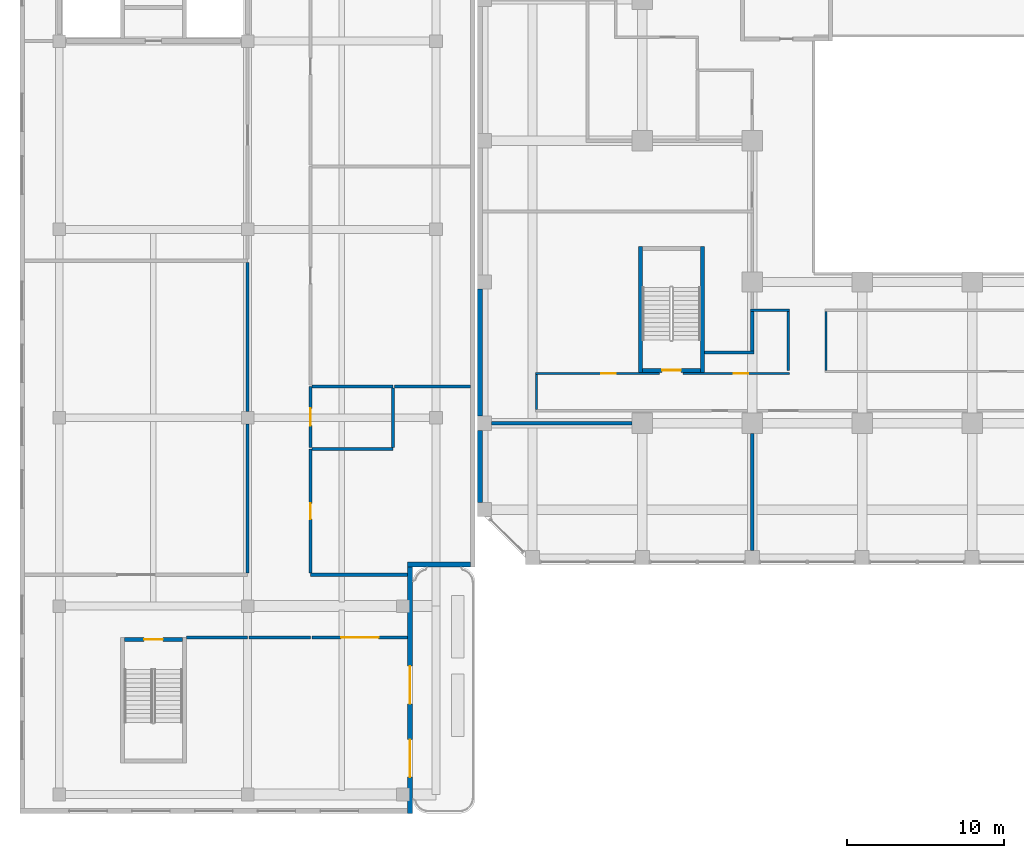
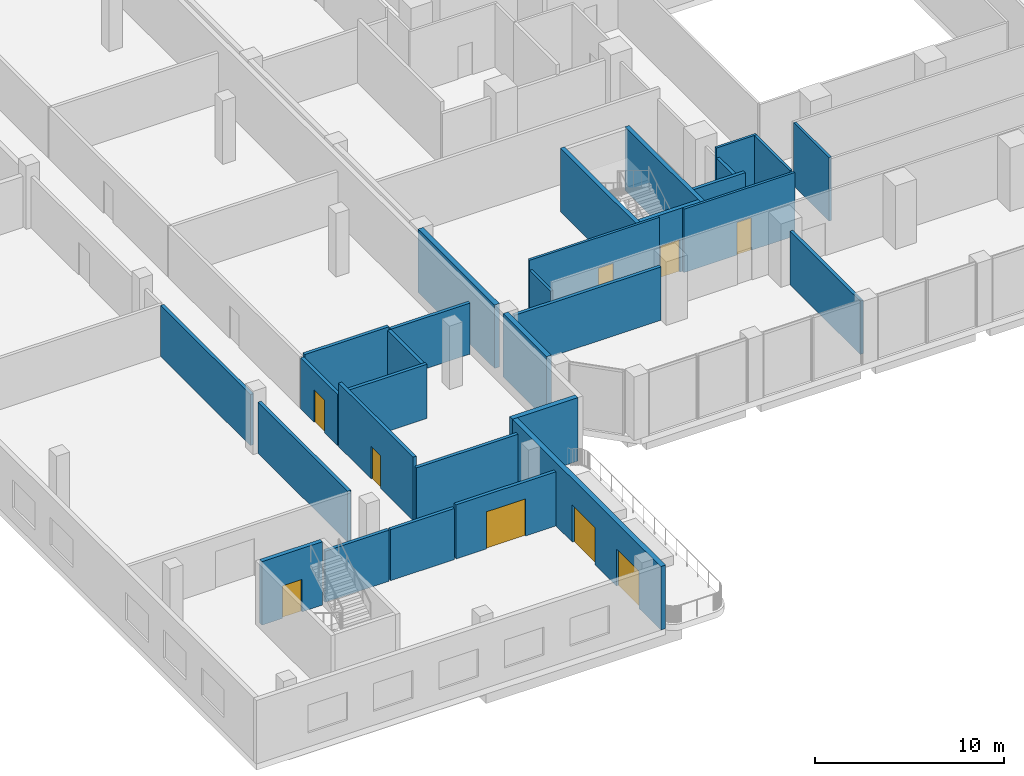
# One storey, part 13 of 35: 30 walls, 9 doors, 9 openings.
"""IFC4 building model written with IfcOpenShell, lengths in metres."""

from ifc_helpers import new_model, si_unit, direction, frame, frame_2d, origin, place, context, subcontext, project, spatial, rectangle, extrude, source, transform, mapped, material, layer, layer_set, type_object, element, fill, save


model = new_model("IFC4")

# Units and contexts
model_context = context("Model", 3, precision=1e-05, world=origin(), true_north=direction((0.0, 1.0)))
body_context = subcontext(model_context, "Body", "Model", "MODEL_VIEW")
ifc_project = project(units=[si_unit("LENGTHUNIT", "METRE"), si_unit("AREAUNIT", "SQUARE_METRE"), si_unit("VOLUMEUNIT", "CUBIC_METRE"), si_unit("PLANEANGLEUNIT", "RADIAN"), si_unit("MASSUNIT", "GRAM", prefix="KILO")], contexts=[model_context])

# Site, building, storey
site_placement = place(None, origin())
site = spatial("IfcSite", under=ifc_project, at=site_placement, CompositionType="ELEMENT")
building_placement = place(site_placement, origin())
building = spatial("IfcBuilding", under=site, at=building_placement, Name="Kilnfold Tower and Market Hall", CompositionType="ELEMENT")
storey_placement = place(building_placement, frame((0.0, 0.0, 13.5)))
storey = spatial("IfcBuildingStorey", under=building, at=storey_placement, Name="L02", CompositionType="ELEMENT", Elevation=13.5)

# Wall
ifc_material_1 = material(Name="Gypsum board on steel studs", Category="steel")
ifc_layer_1 = layer(ifc_material_1, 0.14990234375)
ifc_layer_set_1 = layer_set([ifc_layer_1], Name="Gypsum board on steel studs")
wall_type_1 = type_object("IfcWallType", Name="WALL CORRIDOR 150", PredefinedType="PARTITIONING", material=ifc_layer_set_1)
wall_1_placement = place(storey_placement, frame((-24.25, -15.89990234375, 0.0), z_axis=(0.0, 0.0, 1.0), x_axis=(0.0, -1.0, 0.0)))
element("IfcWall", 1, at=wall_1_placement, inside=storey, type_object=wall_type_1, Name="Partition LY03.2", PredefinedType="PARTITIONING", context=body_context, shape_type="SweptSolid", body=[
    extrude(rectangle(XDim=2.22509765625, YDim=0.14990234375, at=frame_2d((1.112548828125, 0.0))), origin(), (0.0, 0.0, 1.0), 3.449951171875),
])

# Wall, opening, door
wall_2_placement = place(storey_placement, frame((-14.89990234375, -15.824951171875, 0.0), z_axis=(0.0, 0.0, 1.0), x_axis=(1.0, 0.0, 0.0)))
wall_2 = element("IfcWall", 2, at=wall_2_placement, inside=storey, type_object=wall_type_1, Name="Partition LY03.3", PredefinedType="PARTITIONING", context=body_context, shape_type="SweptSolid", body=[
    extrude(rectangle(XDim=6.77490234375, YDim=0.14990234375, at=frame_2d((3.387451171875, 0.0))), origin(), (0.0, 0.0, 1.0), 4.10009765625),
])
opening_1_placement = place(wall_2_placement, frame((3.22998046875, 0.0, 0.0)))
opening_1 = element("IfcOpeningElement", 3, at=opening_1_placement, cuts=wall_2, Name="Opening D2", PredefinedType="OPENING", context=body_context, shape_type="SweptSolid", body=[
    extrude(rectangle(XDim=0.89990234375, YDim=2.10009765625, at=frame_2d((0.449951171875, 1.050048828125))), frame((0.0, 0.0849609375, 0.0), z_axis=(0.0, -1.0, 0.0), x_axis=(1.0, 0.0, 0.0)), (0.0, 0.0, 1.0), 0.169921875),
])
ifc_material_2 = material(Name="Timber veneer door leaf in steel frame", Category="steel")
door_type_1 = type_object("IfcDoorType", Name="DOOR ROOM 900 X2100", OperationType="NOTDEFINED", PredefinedType="DOOR", material=ifc_material_2)
door_1_placement = place(opening_1_placement, origin())
door_1 = element("IfcDoor", 4, at=door_1_placement, inside=storey, type_object=door_type_1, Name="Door D2", OperationType="SINGLE_SWING_LEFT", OverallHeight=2.10009765625, OverallWidth=0.89990234375, PredefinedType="DOOR", context=body_context, shape_type="SweptSolid", body=[
    extrude(rectangle(XDim=0.89990234375, YDim=2.10009765625, at=frame_2d((0.449951171875, 1.050048828125))), frame((0.0, 0.02490234375, 0.0), z_axis=(0.0, -1.0, 0.0), x_axis=(1.0, 0.0, 0.0)), (0.0, 0.0, 1.0), 0.050048828125),
])
fill(opening_1, door_1)

wall_3_placement = place(storey_placement, frame((-24.324951171875, -15.824951171875, 0.0), z_axis=(0.0, 0.0, 1.0), x_axis=(1.0, 0.0, 0.0)))
wall_3 = element("IfcWall", 5, at=wall_3_placement, inside=storey, type_object=wall_type_1, Name="Partition LY03.4", PredefinedType="PARTITIONING", context=body_context, shape_type="SweptSolid", body=[
    extrude(rectangle(XDim=7.925048828125, YDim=0.14990234375, at=frame_2d((3.96240234375, 0.0))), origin(), (0.0, 0.0, 1.0), 4.10009765625),
])
opening_2_placement = place(wall_3_placement, frame((4.215087890625, 0.0, 0.0)))
opening_2 = element("IfcOpeningElement", 6, at=opening_2_placement, cuts=wall_3, Name="Opening D2", PredefinedType="OPENING", context=body_context, shape_type="SweptSolid", body=[
    extrude(rectangle(XDim=0.89990234375, YDim=2.10009765625, at=frame_2d((0.449951171875, 1.050048828125))), frame((0.0, 0.0849609375, 0.0), z_axis=(0.0, -1.0, 0.0), x_axis=(1.0, 0.0, 0.0)), (0.0, 0.0, 1.0), 0.169921875),
])
door_2_placement = place(opening_2_placement, origin())
door_2 = element("IfcDoor", 7, at=door_2_placement, inside=storey, type_object=door_type_1, Name="Door D2", OperationType="SINGLE_SWING_LEFT", OverallHeight=2.10009765625, OverallWidth=0.89990234375, PredefinedType="DOOR", context=body_context, shape_type="SweptSolid", body=[
    extrude(rectangle(XDim=0.89990234375, YDim=2.10009765625, at=frame_2d((0.449951171875, 1.050048828125))), frame((0.0, 0.02490234375, 0.0), z_axis=(0.0, -1.0, 0.0), x_axis=(1.0, 0.0, 0.0)), (0.0, 0.0, 1.0), 0.050048828125),
])
fill(opening_2, door_2)

# Walls
wall_4_placement = place(storey_placement, frame((-8.199951171875, -11.875, 0.0), z_axis=(0.0, 0.0, 1.0), x_axis=(0.0, -1.0, 0.0)))
element("IfcWall", 8, at=wall_4_placement, inside=storey, type_object=wall_type_1, Name="Partition LY03.16", PredefinedType="PARTITIONING", context=body_context, shape_type="SweptSolid", body=[
    extrude(rectangle(XDim=3.75, YDim=0.14990234375, at=frame_2d((1.875, 0.0))), origin(), (0.0, 0.0, 1.0), 4.10009765625),
])
wall_5_placement = place(storey_placement, frame((-10.60009765625, -11.800048828125, 0.0), z_axis=(0.0, 0.0, 1.0), x_axis=(1.0, 0.0, 0.0)))
element("IfcWall", 9, at=wall_5_placement, inside=storey, type_object=wall_type_1, Name="Partition LY03.17", PredefinedType="PARTITIONING", context=body_context, shape_type="SweptSolid", body=[
    extrude(rectangle(XDim=2.47509765625, YDim=0.14990234375, at=frame_2d((1.237548828125, 0.0))), origin(), (0.0, 0.0, 1.0), 4.10009765625),
])
wall_6_placement = place(storey_placement, frame((-5.800048828125, -15.625, 0.0), z_axis=(0.0, 0.0, 1.0), x_axis=(0.0, 1.0, 0.0)))
element("IfcWall", 10, at=wall_6_placement, inside=storey, type_object=wall_type_1, Name="Partition LY03.21", PredefinedType="PARTITIONING", context=body_context, shape_type="SweptSolid", body=[
    extrude(rectangle(XDim=3.75, YDim=0.14990234375, at=frame_2d((1.875, 0.0))), origin(), (0.0, 0.0, 1.0), 4.10009765625),
])
ifc_material_3 = material(Name="Gypsum board on steel studs", Category="steel")
ifc_layer_2 = layer(ifc_material_3, 0.199951171875)
ifc_layer_set_2 = layer_set([ifc_layer_2], Name="Gypsum board on steel studs")
wall_type_2 = type_object("IfcWallType", Name="WALL PARTY 200", PredefinedType="PARTITIONING", material=ifc_layer_set_2)
wall_7_placement = place(storey_placement, frame((-10.5, -27.10009765625, 0.0), z_axis=(0.0, 0.0, 1.0), x_axis=(0.0, 1.0, 0.0)))
element("IfcWall", 11, at=wall_7_placement, inside=storey, type_object=wall_type_2, Name="Partition LY03.40", PredefinedType="PARTITIONING", context=body_context, shape_type="SweptSolid", body=[
    extrude(rectangle(XDim=7.4501953125, YDim=0.199951171875, at=frame_2d((3.72509765625, 0.0))), origin(), (0.0, 0.0, 1.0), 3.449951171875),
])
wall_8_placement = place(storey_placement, frame((-27.10009765625, -19.0, 0.0), z_axis=(0.0, 0.0, 1.0), x_axis=(1.0, 0.0, 0.0)))
element("IfcWall", 12, at=wall_8_placement, inside=storey, type_object=wall_type_2, Name="Partition LY03.43", PredefinedType="PARTITIONING", context=body_context, shape_type="SweptSolid", body=[
    extrude(rectangle(XDim=8.9501953125, YDim=0.199951171875, at=frame_2d((4.47509765625, 0.0))), origin(), (0.0, 0.0, 1.0), 3.449951171875),
])
wall_9_placement = place(storey_placement, frame((-10.5, -14.39990234375, 0.0), z_axis=(0.0, 0.0, 1.0), x_axis=(0.0, 1.0, 0.0)))
element("IfcWall", 13, at=wall_9_placement, inside=storey, type_object=wall_type_2, Name="Partition LY03.44", PredefinedType="PARTITIONING", context=body_context, shape_type="SweptSolid", body=[
    extrude(rectangle(XDim=2.52392578125, YDim=0.199951171875, at=frame_2d((1.261962890625, 0.0))), origin(), (0.0, 0.0, 1.0), 3.449951171875),
])
wall_10_placement = place(storey_placement, frame((-13.550048828125, -14.5, 0.0), z_axis=(0.0, 0.0, 1.0), x_axis=(1.0, 0.0, 0.0)))
element("IfcWall", 14, at=wall_10_placement, inside=storey, type_object=wall_type_2, Name="Partition LY03.45", PredefinedType="PARTITIONING", context=body_context, shape_type="SweptSolid", body=[
    extrude(rectangle(XDim=3.150146484375, YDim=0.199951171875, at=frame_2d((1.5751953125, 0.0))), origin(), (0.0, 0.0, 1.0), 4.10009765625),
])

# Wall, opening, door
ifc_material_4 = material(Name="Concrete C80", Category="concrete")
ifc_layer_3 = layer(ifc_material_4, 0.25)
ifc_layer_set_3 = layer_set([ifc_layer_3], Name="Concrete C80")
wall_type_3 = type_object("IfcWallType", Name="CORE WALL 250 C80", PredefinedType="SHEAR", material=ifc_layer_set_3)
shared_shape_1 = source(origin(), body_context, "Body", "SweptSolid", [
    extrude(rectangle(XDim=3.699951171875, YDim=0.25, at=frame_2d((1.85009765625, 0.0))), origin(), (0.0, 0.0, 1.0), 4.10009765625),
])
wall_11_placement = place(storey_placement, frame((-17.5, -15.625, 0.0), z_axis=(0.0, 0.0, 1.0), x_axis=(1.0, 0.0, 0.0)))
wall_11 = element("IfcWall", 15, at=wall_11_placement, inside=storey, type_object=wall_type_3, Name="Stair enclosure ST3", PredefinedType="SHEAR", context=body_context, shape_type="MappedRepresentation", body=[
    mapped(shared_shape_1, transform((0.0, 0.0, 0.0))),
])
opening_3_placement = place(wall_11_placement, frame((1.25, 0.0, 0.0)))
opening_3 = element("IfcOpeningElement", 16, at=opening_3_placement, cuts=wall_11, Name="Opening SD1", PredefinedType="OPENING", context=body_context, shape_type="SweptSolid", body=[
    extrude(rectangle(XDim=1.199951171875, YDim=2.10009765625, at=frame_2d((0.60009765625, 1.050048828125))), frame((0.0, 0.135009765625, 0.0), z_axis=(0.0, -1.0, 0.0), x_axis=(1.0, 0.0, 0.0)), (0.0, 0.0, 1.0), 0.27001953125),
])
ifc_material_5 = material(Name="Steel door set with fire-resisting leaf", Category="steel")
door_type_2 = type_object("IfcDoorType", Name="STAIR FLOOR DOOR 1200X2100", OperationType="NOTDEFINED", PredefinedType="DOOR", material=ifc_material_5)
door_3_placement = place(opening_3_placement, origin())
door_3 = element("IfcDoor", 17, at=door_3_placement, inside=storey, type_object=door_type_2, Name="Exit stair ST3 door", OperationType="DOUBLE_DOOR_SINGLE_SWING", OverallHeight=2.10009765625, OverallWidth=1.199951171875, PredefinedType="DOOR", context=body_context, shape_type="SweptSolid", body=[
    extrude(rectangle(XDim=1.199951171875, YDim=2.10009765625, at=frame_2d((0.60009765625, 1.050048828125))), frame((0.0, 0.02490234375, 0.0), z_axis=(0.0, -1.0, 0.0), x_axis=(1.0, 0.0, 0.0)), (0.0, 0.0, 1.0), 0.050048828125),
])
fill(opening_3, door_3)

ifc_material_6 = material(Name="Concrete C50/60", Category="concrete")
ifc_layer_4 = layer(ifc_material_6, 0.25)
ifc_layer_set_4 = layer_set([ifc_layer_4], Name="Concrete C50/60")
wall_type_4 = type_object("IfcWallType", Name="HALL CORE WALL 250", PredefinedType="SHEAR", material=ifc_layer_set_4)
wall_12_placement = place(storey_placement, frame((-50.5, -32.77490234375, 0.0), z_axis=(0.0, 0.0, 1.0), x_axis=(1.0, 0.0, 0.0)))
wall_12 = element("IfcWall", 18, at=wall_12_placement, inside=storey, type_object=wall_type_4, Name="Core wall MS1", PredefinedType="SHEAR", context=body_context, shape_type="MappedRepresentation", body=[
    mapped(shared_shape_1, transform((0.0, 0.0, 0.0))),
])
opening_4_placement = place(wall_12_placement, frame((1.25, 0.0, 0.0)))
opening_4 = element("IfcOpeningElement", 19, at=opening_4_placement, cuts=wall_12, Name="Opening MD9-60", PredefinedType="OPENING", context=body_context, shape_type="SweptSolid", body=[
    extrude(rectangle(XDim=1.199951171875, YDim=2.10009765625, at=frame_2d((0.60009765625, 1.050048828125))), frame((0.0, 0.135009765625, 0.0), z_axis=(0.0, -1.0, 0.0), x_axis=(1.0, 0.0, 0.0)), (0.0, 0.0, 1.0), 0.27001953125),
])
ifc_material_7 = material(Name="Steel S355", Category="steel")
door_type_3 = type_object("IfcDoorType", Name="HALL DOOR STAIR 1200X2100 FD60", OperationType="NOTDEFINED", PredefinedType="DOOR", material=ifc_material_7)
door_4_placement = place(opening_4_placement, origin())
door_4 = element("IfcDoor", 20, at=door_4_placement, inside=storey, type_object=door_type_3, Name="Door MD9-60", OperationType="DOUBLE_DOOR_SINGLE_SWING", OverallHeight=2.10009765625, OverallWidth=1.199951171875, PredefinedType="DOOR", context=body_context, shape_type="SweptSolid", body=[
    extrude(rectangle(XDim=1.199951171875, YDim=2.10009765625, at=frame_2d((0.60009765625, 1.050048828125))), frame((0.0, 0.02490234375, 0.0), z_axis=(0.0, -1.0, 0.0), x_axis=(1.0, 0.0, 0.0)), (0.0, 0.0, 1.0), 0.050048828125),
])
fill(opening_4, door_4)

# Walls
shared_shape_2 = source(origin(), body_context, "Body", "SweptSolid", [
    extrude(rectangle(XDim=8.0, YDim=0.25, at=frame_2d((4.0, 0.0))), origin(), (0.0, 0.0, 1.0), 4.10009765625),
])
for number, where, z_axis, x_axis, name in (
    (21, (-17.625, -15.75, 0.0), (0.0, 0.0, 1.0), (0.0, 1.0, 0.0), "Stair enclosure ST3"),
    (22, (-13.675048828125, -15.75, 0.0), (0.0, 0.0, 1.0), (0.0, 1.0, 0.0), "Stair enclosure ST3"),
):
    element("IfcWall", number, at=place(storey_placement, frame(where, z_axis=z_axis, x_axis=x_axis)), inside=storey, type_object=wall_type_3, Name=name, PredefinedType="SHEAR", context=body_context, shape_type="MappedRepresentation", body=[
        mapped(shared_shape_2, transform((0.0, 0.0, 0.0))),
    ])
ifc_material_8 = material(Name="Precast concrete C50/60", Category="concrete")
ifc_layer_5 = layer(ifc_material_8, 0.300048828125)
ifc_layer_set_5 = layer_set([ifc_layer_5], Name="Precast concrete C50/60")
wall_type_5 = type_object("IfcWallType", Name="PRECAST WALL 300", PredefinedType="SOLIDWALL", material=ifc_layer_set_5)
shared_shape_3 = source(origin(), body_context, "Body", "SweptSolid", [
    extrude(rectangle(XDim=8.10009765625, YDim=0.300048828125, at=frame_2d((4.050048828125, 0.0))), origin(), (0.0, 0.0, 1.0), 4.10009765625),
])
wall_13_placement = place(storey_placement, frame((-27.85009765625, -10.449951171875, 0.0), z_axis=(0.0, 0.0, 1.0), x_axis=(0.0, -1.0, 0.0)))
element("IfcWall", 23, at=wall_13_placement, inside=storey, type_object=wall_type_5, Name="Party wall L02 W", PredefinedType="SOLIDWALL", context=body_context, shape_type="MappedRepresentation", body=[
    mapped(shared_shape_3, transform((0.0, 0.0, 0.0))),
])
shared_shape_4 = source(origin(), body_context, "Body", "SweptSolid", [
    extrude(rectangle(XDim=4.60009765625, YDim=0.300048828125, at=frame_2d((2.300048828125, 0.0))), origin(), (0.0, 0.0, 1.0), 4.10009765625),
])
wall_14_placement = place(storey_placement, frame((-27.85009765625, -19.449951171875, 0.0), z_axis=(0.0, 0.0, 1.0), x_axis=(0.0, -1.0, 0.0)))
element("IfcWall", 24, at=wall_14_placement, inside=storey, type_object=wall_type_5, Name="Party wall L02 W", PredefinedType="SOLIDWALL", context=body_context, shape_type="MappedRepresentation", body=[
    mapped(shared_shape_4, transform((0.0, 0.0, 0.0))),
])
ifc_material_9 = material(Name="Concrete blockwork", Category="masonry")
ifc_layer_6 = layer(ifc_material_9, 0.300048828125)
ifc_layer_set_6 = layer_set([ifc_layer_6], Name="Concrete blockwork")
wall_type_6 = type_object("IfcWallType", Name="HALL EXTERNAL WALL 300 EI 60", PredefinedType="SOLIDWALL", material=ifc_layer_set_6)
shared_shape_5 = source(origin(), body_context, "Body", "SweptSolid", [
    extrude(rectangle(XDim=4.0, YDim=0.300048828125, at=frame_2d((2.0, 0.0))), origin(), (0.0, 0.0, 1.0), 4.10009765625),
])
wall_15_placement = place(storey_placement, frame((-28.449951171875, -28.0, 0.0), z_axis=(0.0, 0.0, 1.0), x_axis=(-1.0, 0.0, 0.0)))
element("IfcWall", 25, at=wall_15_placement, inside=storey, type_object=wall_type_6, Name="External wall MEW-L02.8", PredefinedType="SOLIDWALL", context=body_context, shape_type="MappedRepresentation", body=[
    mapped(shared_shape_5, transform((0.0, 0.0, 0.0))),
])

# Wall, openings, doors
shared_shape_6 = source(origin(), body_context, "Body", "SweptSolid", [
    extrude(rectangle(XDim=15.7001953125, YDim=0.300048828125, at=frame_2d((7.85009765625, 0.0))), origin(), (0.0, 0.0, 1.0), 4.10009765625),
])
wall_16_placement = place(storey_placement, frame((-32.300048828125, -28.14990234375, 0.0), z_axis=(0.0, 0.0, 1.0), x_axis=(0.0, -1.0, 0.0)))
wall_16 = element("IfcWall", 26, at=wall_16_placement, inside=storey, type_object=wall_type_6, Name="External wall MEW-L02.9", PredefinedType="SOLIDWALL", context=body_context, shape_type="MappedRepresentation", body=[
    mapped(shared_shape_6, transform((0.0, 0.0, 0.0))),
])
opening_5_placement = place(wall_16_placement, frame((6.326416015625, 0.0, 0.0)))
opening_5 = element("IfcOpeningElement", 27, at=opening_5_placement, cuts=wall_16, Name="Opening MED2", PredefinedType="OPENING", context=body_context, shape_type="SweptSolid", body=[
    extrude(rectangle(XDim=2.39990234375, YDim=2.39990234375, at=frame_2d((1.199951171875, 1.199951171875))), frame((0.0, 0.16015625, 0.0), z_axis=(0.0, -1.0, 0.0), x_axis=(1.0, 0.0, 0.0)), (0.0, 0.0, 1.0), 0.320068359375),
])
opening_6_placement = place(wall_16_placement, frame((10.9970703125, 0.0, 0.0)))
opening_6 = element("IfcOpeningElement", 28, at=opening_6_placement, cuts=wall_16, Name="Opening MED2", PredefinedType="OPENING", context=body_context, shape_type="SweptSolid", body=[
    extrude(rectangle(XDim=2.39990234375, YDim=2.39990234375, at=frame_2d((1.199951171875, 1.199951171875))), frame((0.0, 0.16015625, 0.0), z_axis=(0.0, -1.0, 0.0), x_axis=(1.0, 0.0, 0.0)), (0.0, 0.0, 1.0), 0.320068359375),
])
ifc_material_10 = material(Name="Aluminium glazing", Category="aluminium")
door_type_4 = type_object("IfcDoorType", Name="DECK DOOR 2400X2400", OperationType="NOTDEFINED", PredefinedType="DOOR", material=ifc_material_10)
door_5_placement = place(opening_5_placement, origin())
door_5 = element("IfcDoor", 29, at=door_5_placement, inside=storey, type_object=door_type_4, Name="Terrace door MED2", OperationType="DOUBLE_DOOR_SINGLE_SWING", OverallHeight=2.39990234375, OverallWidth=2.39990234375, PredefinedType="DOOR", context=body_context, shape_type="SweptSolid", body=[
    extrude(rectangle(XDim=2.39990234375, YDim=2.39990234375, at=frame_2d((1.199951171875, 1.199951171875))), frame((0.0, 0.02490234375, 0.0), z_axis=(0.0, -1.0, 0.0), x_axis=(1.0, 0.0, 0.0)), (0.0, 0.0, 1.0), 0.050048828125),
])
fill(opening_5, door_5)
door_6_placement = place(opening_6_placement, origin())
door_6 = element("IfcDoor", 30, at=door_6_placement, inside=storey, type_object=door_type_4, Name="Terrace door MED2", OperationType="DOUBLE_DOOR_SINGLE_SWING", OverallHeight=2.39990234375, OverallWidth=2.39990234375, PredefinedType="DOOR", context=body_context, shape_type="SweptSolid", body=[
    extrude(rectangle(XDim=2.39990234375, YDim=2.39990234375, at=frame_2d((1.199951171875, 1.199951171875))), frame((0.0, 0.02490234375, 0.0), z_axis=(0.0, -1.0, 0.0), x_axis=(1.0, 0.0, 0.0)), (0.0, 0.0, 1.0), 0.050048828125),
])
fill(opening_6, door_6)

# Wall, opening, door
ifc_material_11 = material(Name="Concrete blockwork", Category="masonry")
ifc_layer_7 = layer(ifc_material_11, 0.199951171875)
ifc_layer_set_7 = layer_set([ifc_layer_7], Name="Concrete blockwork")
wall_type_7 = type_object("IfcWallType", Name="HALL PARTITION 200 EI 60", PredefinedType="PARTITIONING", material=ifc_layer_set_7)
shared_shape_7 = source(origin(), body_context, "Body", "SweptSolid", [
    extrude(rectangle(XDim=7.900146484375, YDim=0.199951171875, at=frame_2d((3.9501953125, 0.0))), origin(), (0.0, 0.0, 1.0), 4.10009765625),
])
wall_17_placement = place(storey_placement, frame((-38.64990234375, -20.64990234375, 0.0), z_axis=(0.0, 0.0, 1.0), x_axis=(0.0, -1.0, 0.0)))
wall_17 = element("IfcWall", 31, at=wall_17_placement, inside=storey, type_object=wall_type_7, Name="Partition W-MH-L02.18", PredefinedType="PARTITIONING", context=body_context, shape_type="MappedRepresentation", body=[
    mapped(shared_shape_7, transform((0.0, 0.0, 0.0))),
])
opening_7_placement = place(wall_17_placement, frame((3.449951171875, 0.0, 0.0)))
opening_7 = element("IfcOpeningElement", 32, at=opening_7_placement, cuts=wall_17, Name="Opening MD6-60", PredefinedType="OPENING", context=body_context, shape_type="SweptSolid", body=[
    extrude(rectangle(XDim=1.0, YDim=2.10009765625, at=frame_2d((0.5, 1.050048828125))), frame((0.0, 0.10986328125, 0.0), z_axis=(0.0, -1.0, 0.0), x_axis=(1.0, 0.0, 0.0)), (0.0, 0.0, 1.0), 0.219970703125),
])
ifc_material_12 = material(Name="Timber", Category="wood")
door_type_5 = type_object("IfcDoorType", Name="HALL DOOR WC 1000X2100 FD60", OperationType="NOTDEFINED", PredefinedType="DOOR", material=ifc_material_12)
door_7_placement = place(opening_7_placement, origin())
door_7 = element("IfcDoor", 33, at=door_7_placement, inside=storey, type_object=door_type_5, Name="Door MD6-60", OperationType="SINGLE_SWING_RIGHT", OverallHeight=2.10009765625, OverallWidth=1.0, PredefinedType="DOOR", context=body_context, shape_type="SweptSolid", body=[
    extrude(rectangle(XDim=1.0, YDim=2.10009765625, at=frame_2d((0.5, 1.050048828125))), frame((0.0, 0.02490234375, 0.0), z_axis=(0.0, -1.0, 0.0), x_axis=(1.0, 0.0, 0.0)), (0.0, 0.0, 1.0), 0.050048828125),
])
fill(opening_7, door_7)

# Walls
shared_shape_8 = source(origin(), body_context, "Body", "SweptSolid", [
    extrude(rectangle(XDim=5.150146484375, YDim=0.199951171875, at=frame_2d((2.5751953125, 0.0))), origin(), (0.0, 0.0, 1.0), 3.5),
])
for number, where, z_axis, x_axis, name in (
    (34, (-38.550048828125, -20.64990234375, 0.0), (0.0, 0.0, 1.0), (1.0, 0.0, 0.0), "Partition W-MH-L02.19"),
    (35, (-38.550048828125, -16.64990234375, 0.0), (0.0, 0.0, 1.0), (1.0, 0.0, 0.0), "Partition W-MH-L02.21"),
):
    element("IfcWall", number, at=place(storey_placement, frame(where, z_axis=z_axis, x_axis=x_axis)), inside=storey, type_object=wall_type_7, Name=name, PredefinedType="PARTITIONING", context=body_context, shape_type="MappedRepresentation", body=[
        mapped(shared_shape_8, transform((0.0, 0.0, 0.0))),
    ])
shared_shape_9 = source(origin(), body_context, "Body", "SweptSolid", [
    extrude(rectangle(XDim=3.900146484375, YDim=0.199951171875, at=frame_2d((1.9501953125, 0.0))), origin(), (0.0, 0.0, 1.0), 3.300048828125),
])
for number, where, z_axis, x_axis, name in (
    (36, (-42.64990234375, -32.64990234375, 0.0), (0.0, 0.0, 1.0), (-1.0, 0.0, 0.0), "Partition W-MH-L02.6"),
    (37, (-38.64990234375, -32.64990234375, 0.0), (0.0, 0.0, 1.0), (-1.0, 0.0, 0.0), "Partition W-MH-L02.16"),
):
    element("IfcWall", number, at=place(storey_placement, frame(where, z_axis=z_axis, x_axis=x_axis)), inside=storey, type_object=wall_type_7, Name=name, PredefinedType="PARTITIONING", context=body_context, shape_type="MappedRepresentation", body=[
        mapped(shared_shape_9, transform((0.0, 0.0, 0.0))),
    ])

# Wall, opening, door
wall_18_placement = place(storey_placement, frame((-38.64990234375, -16.64990234375, 0.0), z_axis=(0.0, 0.0, 1.0), x_axis=(0.0, -1.0, 0.0)))
wall_18 = element("IfcWall", 38, at=wall_18_placement, inside=storey, type_object=wall_type_7, Name="Partition W-MH-L02.20", PredefinedType="PARTITIONING", context=body_context, shape_type="MappedRepresentation", body=[
    mapped(shared_shape_9, transform((0.0, 0.0, 0.0))),
])
opening_8_placement = place(wall_18_placement, frame((1.39990234375, 0.0, 0.0)))
opening_8 = element("IfcOpeningElement", 39, at=opening_8_placement, cuts=wall_18, Name="Opening MD2-60", PredefinedType="OPENING", context=body_context, shape_type="SweptSolid", body=[
    extrude(rectangle(XDim=1.10009765625, YDim=2.10009765625, at=frame_2d((0.550048828125, 1.050048828125))), frame((0.0, 0.10986328125, 0.0), z_axis=(0.0, -1.0, 0.0), x_axis=(1.0, 0.0, 0.0)), (0.0, 0.0, 1.0), 0.219970703125),
])
ifc_material_13 = material(Name="Timber", Category="wood")
door_type_6 = type_object("IfcDoorType", Name="HALL DOOR AWC 1100X2100 FD60", OperationType="NOTDEFINED", PredefinedType="DOOR", material=ifc_material_13)
door_8_placement = place(opening_8_placement, origin())
door_8 = element("IfcDoor", 40, at=door_8_placement, inside=storey, type_object=door_type_6, Name="Door MD2-60", OperationType="SINGLE_SWING_LEFT", OverallHeight=2.10009765625, OverallWidth=1.10009765625, PredefinedType="DOOR", context=body_context, shape_type="SweptSolid", body=[
    extrude(rectangle(XDim=1.10009765625, YDim=2.10009765625, at=frame_2d((0.550048828125, 1.050048828125))), frame((0.0, 0.02490234375, 0.0), z_axis=(0.0, -1.0, 0.0), x_axis=(1.0, 0.0, 0.0)), (0.0, 0.0, 1.0), 0.050048828125),
])
fill(opening_8, door_8)

# Walls
shared_shape_10 = source(origin(), body_context, "Body", "SweptSolid", [
    extrude(rectangle(XDim=9.5, YDim=0.199951171875, at=frame_2d((4.75, 0.0))), origin(), (0.0, 0.0, 1.0), 3.300048828125),
])
for number, where, z_axis, x_axis, name in (
    (41, (-42.64990234375, -28.550048828125, 0.0), (0.0, 0.0, 1.0), (0.0, 1.0, 0.0), "Partition W-MH-L02.7"),
    (42, (-42.64990234375, -18.25, 0.0), (0.0, 0.0, 1.0), (0.0, 1.0, 0.0), "Partition W-MH-L02.8"),
):
    element("IfcWall", number, at=place(storey_placement, frame(where, z_axis=z_axis, x_axis=x_axis)), inside=storey, type_object=wall_type_7, Name=name, PredefinedType="PARTITIONING", context=body_context, shape_type="MappedRepresentation", body=[
        mapped(shared_shape_10, transform((0.0, 0.0, 0.0))),
    ])
shared_shape_11 = source(origin(), body_context, "Body", "SweptSolid", [
    extrude(rectangle(XDim=6.199951171875, YDim=0.199951171875, at=frame_2d((3.10009765625, 0.0))), origin(), (0.0, 0.0, 1.0), 3.5),
])
wall_19_placement = place(storey_placement, frame((-38.64990234375, -28.64990234375, 0.0), z_axis=(0.0, 0.0, 1.0), x_axis=(1.0, 0.0, 0.0)))
element("IfcWall", 43, at=wall_19_placement, inside=storey, type_object=wall_type_7, Name="Partition W-MH-L02.17", PredefinedType="PARTITIONING", context=body_context, shape_type="MappedRepresentation", body=[
    mapped(shared_shape_11, transform((0.0, 0.0, 0.0))),
])
shared_shape_12 = source(origin(), body_context, "Body", "SweptSolid", [
    extrude(rectangle(XDim=3.800048828125, YDim=0.199951171875, at=frame_2d((1.89990234375, 0.0))), origin(), (0.0, 0.0, 1.0), 3.300048828125),
])
wall_20_placement = place(storey_placement, frame((-33.39990234375, -20.550048828125, 0.0), z_axis=(0.0, 0.0, 1.0), x_axis=(0.0, 1.0, 0.0)))
element("IfcWall", 44, at=wall_20_placement, inside=storey, type_object=wall_type_7, Name="Partition W-MH-L02.29", PredefinedType="PARTITIONING", context=body_context, shape_type="MappedRepresentation", body=[
    mapped(shared_shape_12, transform((0.0, 0.0, 0.0))),
])
shared_shape_13 = source(origin(), body_context, "Body", "SweptSolid", [
    extrude(rectangle(XDim=4.85009765625, YDim=0.199951171875, at=frame_2d((2.425048828125, 0.0))), origin(), (0.0, 0.0, 1.0), 3.300048828125),
])
wall_21_placement = place(storey_placement, frame((-33.300048828125, -16.64990234375, 0.0), z_axis=(0.0, 0.0, 1.0), x_axis=(1.0, 0.0, 0.0)))
element("IfcWall", 45, at=wall_21_placement, inside=storey, type_object=wall_type_7, Name="Partition W-MH-L02.30", PredefinedType="PARTITIONING", context=body_context, shape_type="MappedRepresentation", body=[
    mapped(shared_shape_13, transform((0.0, 0.0, 0.0))),
])

# Wall, opening, door
shared_shape_14 = source(origin(), body_context, "Body", "SweptSolid", [
    extrude(rectangle(XDim=6.10009765625, YDim=0.199951171875, at=frame_2d((3.050048828125, 0.0))), origin(), (0.0, 0.0, 1.0), 3.5),
])
wall_22_placement = place(storey_placement, frame((-32.449951171875, -32.64990234375, 0.0), z_axis=(0.0, 0.0, 1.0), x_axis=(-1.0, 0.0, 0.0)))
wall_22 = element("IfcWall", 46, at=wall_22_placement, inside=storey, type_object=wall_type_7, Name="Partition W-MH-L02.31", PredefinedType="PARTITIONING", context=body_context, shape_type="MappedRepresentation", body=[
    mapped(shared_shape_14, transform((0.0, 0.0, 0.0))),
])
opening_9_placement = place(wall_22_placement, frame((1.85009765625, 0.0, 0.0)))
opening_9 = element("IfcOpeningElement", 47, at=opening_9_placement, cuts=wall_22, Name="Opening MD7-60", PredefinedType="OPENING", context=body_context, shape_type="SweptSolid", body=[
    extrude(rectangle(XDim=2.39990234375, YDim=2.39990234375, at=frame_2d((1.199951171875, 1.199951171875))), frame((0.0, 0.10986328125, 0.0), z_axis=(0.0, -1.0, 0.0), x_axis=(1.0, 0.0, 0.0)), (0.0, 0.0, 1.0), 0.219970703125),
])
ifc_material_14 = material(Name="Aluminium glazing", Category="aluminium")
door_type_7 = type_object("IfcDoorType", Name="HALL DOOR HALL 2400X2400 FD60", OperationType="NOTDEFINED", PredefinedType="DOOR", material=ifc_material_14)
door_9_placement = place(opening_9_placement, origin())
door_9 = element("IfcDoor", 48, at=door_9_placement, inside=storey, type_object=door_type_7, Name="Door MD7-60", OperationType="DOUBLE_DOOR_SINGLE_SWING", OverallHeight=2.39990234375, OverallWidth=2.39990234375, PredefinedType="DOOR", context=body_context, shape_type="SweptSolid", body=[
    extrude(rectangle(XDim=2.39990234375, YDim=2.39990234375, at=frame_2d((1.199951171875, 1.199951171875))), frame((0.0, 0.02490234375, 0.0), z_axis=(0.0, -1.0, 0.0), x_axis=(1.0, 0.0, 0.0)), (0.0, 0.0, 1.0), 0.050048828125),
])
fill(opening_9, door_9)

save(model, "model.ifc")
